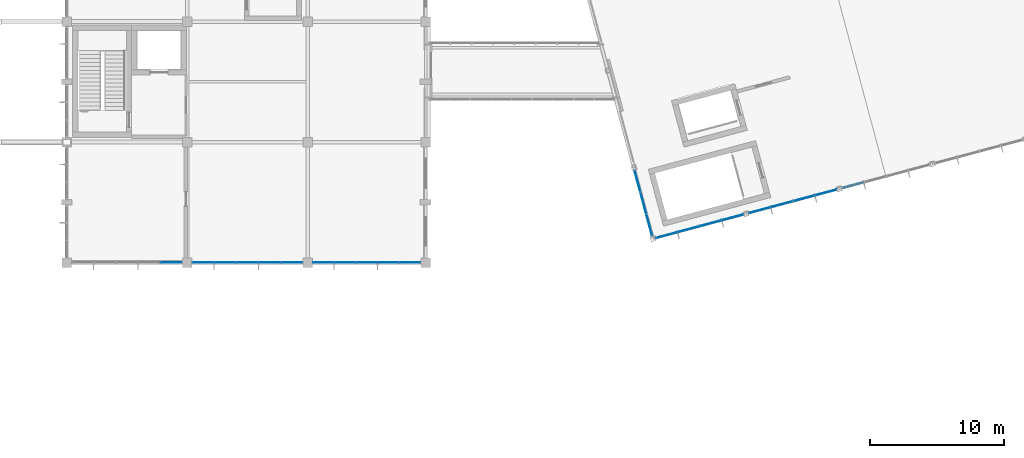
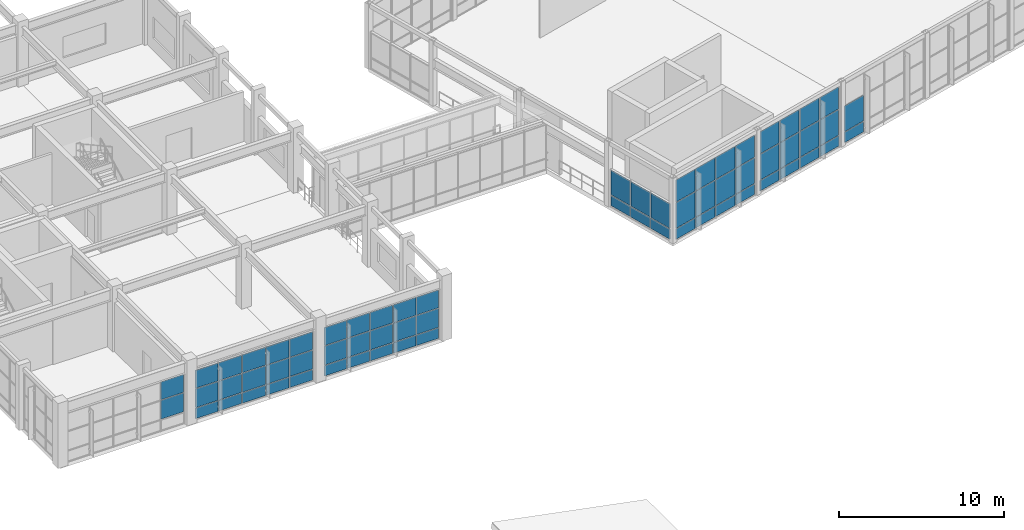
# One storey, part 71 of 99: 64 plates, 7 elements without a shape of their own.
"""IFC4 building model written with IfcOpenShell, lengths in metres."""

from ifc_helpers import new_model, si_unit, direction, frame, origin, origin_2d, place, context, subcontext, project, spatial, rectangle, extrude, material, layer, layer_set, type_object, element, aggregate, save


model = new_model("IFC4")

# Units and contexts
model_context = context("Model", 3, precision=1e-05, world=origin(), true_north=direction((0.0, 1.0)))
body_context = subcontext(model_context, "Body", "Model", "MODEL_VIEW")
ifc_project = project(units=[si_unit("LENGTHUNIT", "METRE"), si_unit("AREAUNIT", "SQUARE_METRE"), si_unit("VOLUMEUNIT", "CUBIC_METRE"), si_unit("PLANEANGLEUNIT", "RADIAN"), si_unit("MASSUNIT", "GRAM", prefix="KILO")], contexts=[model_context])

# Site, building, storey
site_placement = place(None, origin())
site = spatial("IfcSite", under=ifc_project, at=site_placement, CompositionType="ELEMENT")
building_placement = place(site_placement, origin())
building = spatial("IfcBuilding", under=site, at=building_placement, Name="Ventoquebrada Cableway Terminal", CompositionType="ELEMENT")
storey_placement = place(building_placement, frame((0.0, 0.0, 9.60009765625)))
storey = spatial("IfcBuildingStorey", under=building, at=storey_placement, Name="L02", CompositionType="ELEMENT", Elevation=9.60009765625)

# Curtain wall, plate
ifc_material_1 = material(Name="Anodized thermally-broken aluminium", Category="aluminium")
ifc_layer_1 = layer(ifc_material_1, 0.159912109375)
ifc_layer_set_1 = layer_set([ifc_layer_1], Name="Anodized thermally-broken aluminium")
curtain_wall_type_1 = type_object("IfcCurtainWallType", Name="CW-T18", PredefinedType="USERDEFINED", material=ifc_layer_set_1)
curtain_wall_1_placement = place(storey_placement, origin())
curtain_wall_1 = element("IfcCurtainWall", 1, at=curtain_wall_1_placement, inside=storey, type_object=curtain_wall_type_1, Name="Unitised glazed curtain wall CW-040", ObjectType="UNITISED CURTAIN WALL", PredefinedType="USERDEFINED")
ifc_material_2 = material(Name="Double low-e laminated safety glazing", Category="glass")
ifc_layer_2 = layer(ifc_material_2, 0.031982421875)
ifc_layer_set_2 = layer_set([ifc_layer_2], Name="Double low-e laminated safety glazing")
plate_type_1 = type_object("IfcPlateType", Name="CWP-GL1", PredefinedType="CURTAIN_PANEL", material=ifc_layer_set_2)
plate_1_placement = place(storey_placement, frame((15.998046875, 68.0, 2.304931640625), z_axis=(0.0, 0.0, 1.0), x_axis=(1.0, 0.0, 0.0)))
plate_1 = element("IfcPlate", 2, at=plate_1_placement, type_object=plate_type_1, Name="Vision glazing panel PN-0407", PredefinedType="CURTAIN_PANEL", context=body_context, shape_type="SweptSolid", body=[
    extrude(rectangle(XDim=1.573974609375, YDim=0.031982421875, at=origin_2d()), origin(), (0.0, 0.0, 1.0), 1.31396484375),
])

# Curtain wall, plates
curtain_wall_2_placement = place(storey_placement, origin())
curtain_wall_2 = element("IfcCurtainWall", 3, at=curtain_wall_2_placement, inside=storey, type_object=curtain_wall_type_1, Name="Unitised glazed curtain wall CW-041", ObjectType="UNITISED CURTAIN WALL", PredefinedType="USERDEFINED")
plate_2_placement = place(storey_placement, frame((18.40087890625, 68.0, 2.304931640625), z_axis=(0.0, 0.0, 1.0), x_axis=(1.0, 0.0, 0.0)))
plate_2 = element("IfcPlate", 4, at=plate_2_placement, type_object=plate_type_1, Name="Vision glazing panel PN-0410", PredefinedType="CURTAIN_PANEL", context=body_context, shape_type="SweptSolid", body=[
    extrude(rectangle(XDim=1.573974609375, YDim=0.031982421875, at=origin_2d()), origin(), (0.0, 0.0, 1.0), 1.31396484375),
])
plate_3_placement = place(storey_placement, frame((20.0419921875, 68.0, 0.8740234375), z_axis=(0.0, 0.0, 1.0), x_axis=(1.0, 0.0, 0.0)))
plate_3 = element("IfcPlate", 5, at=plate_3_placement, type_object=plate_type_1, Name="Vision glazing panel PN-0412", PredefinedType="CURTAIN_PANEL", context=body_context, shape_type="SweptSolid", body=[
    extrude(rectangle(XDim=1.60888671875, YDim=0.031982421875, at=origin_2d()), origin(), (0.0, 0.0, 1.0), 1.382080078125),
])
plate_4_placement = place(storey_placement, frame((21.699951171875, 68.0, 2.304931640625), z_axis=(0.0, 0.0, 1.0), x_axis=(1.0, 0.0, 0.0)))
plate_4 = element("IfcPlate", 6, at=plate_4_placement, type_object=plate_type_1, Name="Vision glazing panel PN-0416", PredefinedType="CURTAIN_PANEL", context=body_context, shape_type="SweptSolid", body=[
    extrude(rectangle(XDim=1.60888671875, YDim=0.031982421875, at=origin_2d()), origin(), (0.0, 0.0, 1.0), 1.31396484375),
])
plate_5_placement = place(storey_placement, frame((23.35791015625, 68.0, 0.8740234375), z_axis=(0.0, 0.0, 1.0), x_axis=(1.0, 0.0, 0.0)))
plate_5 = element("IfcPlate", 7, at=plate_5_placement, type_object=plate_type_1, Name="Vision glazing panel PN-0418", PredefinedType="CURTAIN_PANEL", context=body_context, shape_type="SweptSolid", body=[
    extrude(rectangle(XDim=1.60888671875, YDim=0.031982421875, at=origin_2d()), origin(), (0.0, 0.0, 1.0), 1.382080078125),
])
plate_6_placement = place(storey_placement, frame((24.998046875, 68.0, 2.304931640625), z_axis=(0.0, 0.0, 1.0), x_axis=(1.0, 0.0, 0.0)))
plate_6 = element("IfcPlate", 8, at=plate_6_placement, type_object=plate_type_1, Name="Vision glazing panel PN-0422", PredefinedType="CURTAIN_PANEL", context=body_context, shape_type="SweptSolid", body=[
    extrude(rectangle(XDim=1.573974609375, YDim=0.031982421875, at=origin_2d()), origin(), (0.0, 0.0, 1.0), 1.31396484375),
])

ifc_layer_3 = layer(ifc_material_1, 0.159912109375)
ifc_layer_set_3 = layer_set([ifc_layer_3], Name="Anodized thermally-broken aluminium")
curtain_wall_type_2 = type_object("IfcCurtainWallType", Name="CW-T19", PredefinedType="USERDEFINED", material=ifc_layer_set_3)
curtain_wall_3_placement = place(storey_placement, origin())
curtain_wall_3 = element("IfcCurtainWall", 9, at=curtain_wall_3_placement, inside=storey, type_object=curtain_wall_type_2, Name="Unitised glazed curtain wall CW-042", ObjectType="UNITISED CURTAIN WALL", PredefinedType="USERDEFINED")
plate_7_placement = place(storey_placement, frame((27.382080078125, 68.0, 2.310546875), z_axis=(0.0, 0.0, 1.0), x_axis=(1.0, 0.0, 0.0)))
plate_7 = element("IfcPlate", 10, at=plate_7_placement, type_object=plate_type_1, Name="Vision glazing panel PN-0425", PredefinedType="CURTAIN_PANEL", context=body_context, shape_type="SweptSolid", body=[
    extrude(rectangle(XDim=1.533935546875, YDim=0.031982421875, at=origin_2d()), origin(), (0.0, 0.0, 1.0), 1.31689453125),
])
plate_8_placement = place(storey_placement, frame((28.98291015625, 68.0, 0.87451171875), z_axis=(0.0, 0.0, 1.0), x_axis=(1.0, 0.0, 0.0)))
plate_8 = element("IfcPlate", 11, at=plate_8_placement, type_object=plate_type_1, Name="Vision glazing panel PN-0427", PredefinedType="CURTAIN_PANEL", context=body_context, shape_type="SweptSolid", body=[
    extrude(rectangle(XDim=1.569091796875, YDim=0.031982421875, at=origin_2d()), origin(), (0.0, 0.0, 1.0), 1.386962890625),
])
plate_9_placement = place(storey_placement, frame((30.60107421875, 68.0, 2.310546875), z_axis=(0.0, 0.0, 1.0), x_axis=(1.0, 0.0, 0.0)))
plate_9 = element("IfcPlate", 12, at=plate_9_placement, type_object=plate_type_1, Name="Vision glazing panel PN-0431", PredefinedType="CURTAIN_PANEL", context=body_context, shape_type="SweptSolid", body=[
    extrude(rectangle(XDim=1.569091796875, YDim=0.031982421875, at=origin_2d()), origin(), (0.0, 0.0, 1.0), 1.31689453125),
])
plate_10_placement = place(storey_placement, frame((32.218017578125, 68.0, 0.87451171875), z_axis=(0.0, 0.0, 1.0), x_axis=(1.0, 0.0, 0.0)))
plate_10 = element("IfcPlate", 13, at=plate_10_placement, type_object=plate_type_1, Name="Vision glazing panel PN-0433", PredefinedType="CURTAIN_PANEL", context=body_context, shape_type="SweptSolid", body=[
    extrude(rectangle(XDim=1.569091796875, YDim=0.031982421875, at=origin_2d()), origin(), (0.0, 0.0, 1.0), 1.386962890625),
])
plate_11_placement = place(storey_placement, frame((33.819091796875, 68.0, 2.310546875), z_axis=(0.0, 0.0, 1.0), x_axis=(1.0, 0.0, 0.0)))
plate_11 = element("IfcPlate", 14, at=plate_11_placement, type_object=plate_type_1, Name="Vision glazing panel PN-0437", PredefinedType="CURTAIN_PANEL", context=body_context, shape_type="SweptSolid", body=[
    extrude(rectangle(XDim=1.533935546875, YDim=0.031982421875, at=origin_2d()), origin(), (0.0, 0.0, 1.0), 1.31689453125),
])

ifc_layer_4 = layer(ifc_material_1, 0.159912109375)
ifc_layer_set_4 = layer_set([ifc_layer_4], Name="Anodized thermally-broken aluminium")
curtain_wall_type_3 = type_object("IfcCurtainWallType", Name="CW-T40", PredefinedType="USERDEFINED", material=ifc_layer_set_4)
curtain_wall_4_placement = place(storey_placement, origin())
curtain_wall_4 = element("IfcCurtainWall", 15, at=curtain_wall_4_placement, inside=storey, type_object=curtain_wall_type_3, Name="Unitised glazed curtain wall CW-101", ObjectType="UNITISED CURTAIN WALL", PredefinedType="USERDEFINED")
plate_12_placement = place(storey_placement, frame((52.9951171875, 70.055908203125, 2.808837890625), z_axis=(0.0, 0.0, 1.0), x_axis=(0.965939376699, 0.25876846899, 0.0)))
plate_12 = element("IfcPlate", 16, at=plate_12_placement, type_object=plate_type_1, Name="Vision glazing panel PN-1049", PredefinedType="CURTAIN_PANEL", context=body_context, shape_type="SweptSolid", body=[
    extrude(rectangle(XDim=1.615966796875, YDim=0.031982421875, at=origin_2d()), origin(), (0.0, 0.0, 1.0), 1.6220703125),
])
plate_13_placement = place(storey_placement, frame((54.6298828125, 70.4951171875, 0.87451171875), z_axis=(0.0, 0.0, 1.0), x_axis=(0.965939376699, 0.25876846899, 0.0)))
plate_13 = element("IfcPlate", 17, at=plate_13_placement, type_object=plate_type_1, Name="Vision glazing panel PN-1051", PredefinedType="CURTAIN_PANEL", context=body_context, shape_type="SweptSolid", body=[
    extrude(rectangle(XDim=1.65087890625, YDim=0.031982421875, at=origin_2d()), origin(), (0.0, 0.0, 1.0), 1.885009765625),
])
plate_14_placement = place(storey_placement, frame((56.281982421875, 70.93701171875, 2.808837890625), z_axis=(0.0, 0.0, 1.0), x_axis=(0.965939376699, 0.25876846899, 0.0)))
plate_14 = element("IfcPlate", 18, at=plate_14_placement, type_object=plate_type_1, Name="Vision glazing panel PN-1055", PredefinedType="CURTAIN_PANEL", context=body_context, shape_type="SweptSolid", body=[
    extrude(rectangle(XDim=1.65087890625, YDim=0.031982421875, at=origin_2d()), origin(), (0.0, 0.0, 1.0), 1.6220703125),
])
plate_15_placement = place(storey_placement, frame((57.916015625, 71.3759765625, 0.87451171875), z_axis=(0.0, 0.0, 1.0), x_axis=(0.965939376699, 0.25876846899, 0.0)))
plate_15 = element("IfcPlate", 19, at=plate_15_placement, type_object=plate_type_1, Name="Vision glazing panel PN-1057", PredefinedType="CURTAIN_PANEL", context=body_context, shape_type="SweptSolid", body=[
    extrude(rectangle(XDim=1.615966796875, YDim=0.031982421875, at=origin_2d()), origin(), (0.0, 0.0, 1.0), 1.885009765625),
])

curtain_wall_5_placement = place(storey_placement, origin())
curtain_wall_5 = element("IfcCurtainWall", 20, at=curtain_wall_5_placement, inside=storey, type_object=curtain_wall_type_3, Name="Unitised glazed curtain wall CW-102", ObjectType="UNITISED CURTAIN WALL", PredefinedType="USERDEFINED")
plate_16_placement = place(storey_placement, frame((59.949951171875, 71.9208984375, 2.808837890625), z_axis=(0.0, 0.0, 1.0), x_axis=(0.965966469573, 0.258667314636, 0.0)))
plate_16 = element("IfcPlate", 21, at=plate_16_placement, type_object=plate_type_1, Name="Vision glazing panel PN-1061", PredefinedType="CURTAIN_PANEL", context=body_context, shape_type="SweptSolid", body=[
    extrude(rectangle(XDim=1.615966796875, YDim=0.031982421875, at=origin_2d()), origin(), (0.0, 0.0, 1.0), 1.6220703125),
])
plate_17_placement = place(storey_placement, frame((61.583984375, 72.35791015625, 0.87451171875), z_axis=(0.0, 0.0, 1.0), x_axis=(0.965966469573, 0.258667314636, 0.0)))
plate_17 = element("IfcPlate", 22, at=plate_17_placement, type_object=plate_type_1, Name="Vision glazing panel PN-1063", PredefinedType="CURTAIN_PANEL", context=body_context, shape_type="SweptSolid", body=[
    extrude(rectangle(XDim=1.65087890625, YDim=0.031982421875, at=origin_2d()), origin(), (0.0, 0.0, 1.0), 1.885009765625),
])
plate_18_placement = place(storey_placement, frame((63.236083984375, 72.800048828125, 2.808837890625), z_axis=(0.0, 0.0, 1.0), x_axis=(0.965966469573, 0.258667314636, 0.0)))
plate_18 = element("IfcPlate", 23, at=plate_18_placement, type_object=plate_type_1, Name="Vision glazing panel PN-1067", PredefinedType="CURTAIN_PANEL", context=body_context, shape_type="SweptSolid", body=[
    extrude(rectangle(XDim=1.65087890625, YDim=0.031982421875, at=origin_2d()), origin(), (0.0, 0.0, 1.0), 1.6220703125),
])
plate_19_placement = place(storey_placement, frame((64.8701171875, 73.239013671875, 0.87451171875), z_axis=(0.0, 0.0, 1.0), x_axis=(0.965966469573, 0.258667314636, 0.0)))
plate_19 = element("IfcPlate", 24, at=plate_19_placement, type_object=plate_type_1, Name="Vision glazing panel PN-1069", PredefinedType="CURTAIN_PANEL", context=body_context, shape_type="SweptSolid", body=[
    extrude(rectangle(XDim=1.615966796875, YDim=0.031982421875, at=origin_2d()), origin(), (0.0, 0.0, 1.0), 1.885009765625),
])

# Curtain wall, plate
ifc_layer_5 = layer(ifc_material_1, 0.159912109375)
ifc_layer_set_5 = layer_set([ifc_layer_5], Name="Anodized thermally-broken aluminium")
curtain_wall_type_4 = type_object("IfcCurtainWallType", Name="CW-T41", PredefinedType="USERDEFINED", material=ifc_layer_set_5)
curtain_wall_6_placement = place(storey_placement, origin())
curtain_wall_6 = element("IfcCurtainWall", 25, at=curtain_wall_6_placement, inside=storey, type_object=curtain_wall_type_4, Name="Unitised glazed curtain wall CW-111", ObjectType="UNITISED CURTAIN WALL", PredefinedType="USERDEFINED")
plate_20_placement = place(storey_placement, frame((51.26611328125, 72.44091796875, 0.87890625), z_axis=(0.0, 0.0, 1.0), x_axis=(0.258751610128, -0.965943892913, 0.0)))
plate_20 = element("IfcPlate", 26, at=plate_20_placement, type_object=plate_type_1, Name="Vision glazing panel PN-1170", PredefinedType="CURTAIN_PANEL", context=body_context, shape_type="SweptSolid", body=[
    extrude(rectangle(XDim=1.6689453125, YDim=0.031982421875, at=origin_2d()), origin(), (0.0, 0.0, 1.0), 1.80810546875),
])

# Plate
ifc_layer_6 = layer(ifc_material_2, 0.0380859375)
ifc_layer_set_6 = layer_set([ifc_layer_6], Name="Double low-e laminated safety glazing")
plate_type_2 = type_object("IfcPlateType", Name="CWP-GL2", PredefinedType="CURTAIN_PANEL", material=ifc_layer_set_6)
plate_21_placement = place(storey_placement, frame((15.998046875, 68.0, 0.8740234375), z_axis=(0.0, 0.0, 1.0), x_axis=(1.0, 0.0, 0.0)))
plate_21 = element("IfcPlate", 27, at=plate_21_placement, type_object=plate_type_2, Name="Vision glazing panel PN-0406", PredefinedType="CURTAIN_PANEL", context=body_context, shape_type="SweptSolid", body=[
    extrude(rectangle(XDim=1.573974609375, YDim=0.0380859375, at=origin_2d()), origin(), (0.0, 0.0, 1.0), 1.382080078125),
])

aggregate(curtain_wall_1, [plate_21, plate_1])

plate_22_placement = place(storey_placement, frame((18.40087890625, 68.0, 0.8740234375), z_axis=(0.0, 0.0, 1.0), x_axis=(1.0, 0.0, 0.0)))
plate_22 = element("IfcPlate", 28, at=plate_22_placement, type_object=plate_type_2, Name="Vision glazing panel PN-0409", PredefinedType="CURTAIN_PANEL", context=body_context, shape_type="SweptSolid", body=[
    extrude(rectangle(XDim=1.573974609375, YDim=0.0380859375, at=origin_2d()), origin(), (0.0, 0.0, 1.0), 1.382080078125),
])

plate_23_placement = place(storey_placement, frame((20.0419921875, 68.0, 2.304931640625), z_axis=(0.0, 0.0, 1.0), x_axis=(1.0, 0.0, 0.0)))
plate_23 = element("IfcPlate", 29, at=plate_23_placement, type_object=plate_type_2, Name="Vision glazing panel PN-0413", PredefinedType="CURTAIN_PANEL", context=body_context, shape_type="SweptSolid", body=[
    extrude(rectangle(XDim=1.60888671875, YDim=0.0380859375, at=origin_2d()), origin(), (0.0, 0.0, 1.0), 1.31396484375),
])

plate_24_placement = place(storey_placement, frame((21.699951171875, 68.0, 0.8740234375), z_axis=(0.0, 0.0, 1.0), x_axis=(1.0, 0.0, 0.0)))
plate_24 = element("IfcPlate", 30, at=plate_24_placement, type_object=plate_type_2, Name="Vision glazing panel PN-0415", PredefinedType="CURTAIN_PANEL", context=body_context, shape_type="SweptSolid", body=[
    extrude(rectangle(XDim=1.60888671875, YDim=0.0380859375, at=origin_2d()), origin(), (0.0, 0.0, 1.0), 1.382080078125),
])

plate_25_placement = place(storey_placement, frame((23.35791015625, 68.0, 2.304931640625), z_axis=(0.0, 0.0, 1.0), x_axis=(1.0, 0.0, 0.0)))
plate_25 = element("IfcPlate", 31, at=plate_25_placement, type_object=plate_type_2, Name="Vision glazing panel PN-0419", PredefinedType="CURTAIN_PANEL", context=body_context, shape_type="SweptSolid", body=[
    extrude(rectangle(XDim=1.60888671875, YDim=0.0380859375, at=origin_2d()), origin(), (0.0, 0.0, 1.0), 1.31396484375),
])

plate_26_placement = place(storey_placement, frame((24.998046875, 68.0, 0.8740234375), z_axis=(0.0, 0.0, 1.0), x_axis=(1.0, 0.0, 0.0)))
plate_26 = element("IfcPlate", 32, at=plate_26_placement, type_object=plate_type_2, Name="Vision glazing panel PN-0421", PredefinedType="CURTAIN_PANEL", context=body_context, shape_type="SweptSolid", body=[
    extrude(rectangle(XDim=1.573974609375, YDim=0.0380859375, at=origin_2d()), origin(), (0.0, 0.0, 1.0), 1.382080078125),
])

plate_27_placement = place(storey_placement, frame((27.382080078125, 68.0, 0.87451171875), z_axis=(0.0, 0.0, 1.0), x_axis=(1.0, 0.0, 0.0)))
plate_27 = element("IfcPlate", 33, at=plate_27_placement, type_object=plate_type_2, Name="Vision glazing panel PN-0424", PredefinedType="CURTAIN_PANEL", context=body_context, shape_type="SweptSolid", body=[
    extrude(rectangle(XDim=1.533935546875, YDim=0.0380859375, at=origin_2d()), origin(), (0.0, 0.0, 1.0), 1.386962890625),
])

plate_28_placement = place(storey_placement, frame((28.98291015625, 68.0, 2.310546875), z_axis=(0.0, 0.0, 1.0), x_axis=(1.0, 0.0, 0.0)))
plate_28 = element("IfcPlate", 34, at=plate_28_placement, type_object=plate_type_2, Name="Vision glazing panel PN-0428", PredefinedType="CURTAIN_PANEL", context=body_context, shape_type="SweptSolid", body=[
    extrude(rectangle(XDim=1.569091796875, YDim=0.0380859375, at=origin_2d()), origin(), (0.0, 0.0, 1.0), 1.31689453125),
])

plate_29_placement = place(storey_placement, frame((30.60107421875, 68.0, 0.87451171875), z_axis=(0.0, 0.0, 1.0), x_axis=(1.0, 0.0, 0.0)))
plate_29 = element("IfcPlate", 35, at=plate_29_placement, type_object=plate_type_2, Name="Vision glazing panel PN-0430", PredefinedType="CURTAIN_PANEL", context=body_context, shape_type="SweptSolid", body=[
    extrude(rectangle(XDim=1.569091796875, YDim=0.0380859375, at=origin_2d()), origin(), (0.0, 0.0, 1.0), 1.386962890625),
])

plate_30_placement = place(storey_placement, frame((32.218017578125, 68.0, 2.310546875), z_axis=(0.0, 0.0, 1.0), x_axis=(1.0, 0.0, 0.0)))
plate_30 = element("IfcPlate", 36, at=plate_30_placement, type_object=plate_type_2, Name="Vision glazing panel PN-0434", PredefinedType="CURTAIN_PANEL", context=body_context, shape_type="SweptSolid", body=[
    extrude(rectangle(XDim=1.569091796875, YDim=0.0380859375, at=origin_2d()), origin(), (0.0, 0.0, 1.0), 1.31689453125),
])

plate_31_placement = place(storey_placement, frame((33.819091796875, 68.0, 0.87451171875), z_axis=(0.0, 0.0, 1.0), x_axis=(1.0, 0.0, 0.0)))
plate_31 = element("IfcPlate", 37, at=plate_31_placement, type_object=plate_type_2, Name="Vision glazing panel PN-0436", PredefinedType="CURTAIN_PANEL", context=body_context, shape_type="SweptSolid", body=[
    extrude(rectangle(XDim=1.533935546875, YDim=0.0380859375, at=origin_2d()), origin(), (0.0, 0.0, 1.0), 1.386962890625),
])

plate_32_placement = place(storey_placement, frame((52.9951171875, 70.055908203125, 0.87451171875), z_axis=(0.0, 0.0, 1.0), x_axis=(0.965939376699, 0.25876846899, 0.0)))
plate_32 = element("IfcPlate", 38, at=plate_32_placement, type_object=plate_type_2, Name="Vision glazing panel PN-1048", PredefinedType="CURTAIN_PANEL", context=body_context, shape_type="SweptSolid", body=[
    extrude(rectangle(XDim=1.615966796875, YDim=0.0380859375, at=origin_2d()), origin(), (0.0, 0.0, 1.0), 1.885009765625),
])

plate_33_placement = place(storey_placement, frame((54.6298828125, 70.4951171875, 2.808837890625), z_axis=(0.0, 0.0, 1.0), x_axis=(0.965939376699, 0.25876846899, 0.0)))
plate_33 = element("IfcPlate", 39, at=plate_33_placement, type_object=plate_type_2, Name="Vision glazing panel PN-1052", PredefinedType="CURTAIN_PANEL", context=body_context, shape_type="SweptSolid", body=[
    extrude(rectangle(XDim=1.65087890625, YDim=0.0380859375, at=origin_2d()), origin(), (0.0, 0.0, 1.0), 1.6220703125),
])

plate_34_placement = place(storey_placement, frame((56.281982421875, 70.93701171875, 0.87451171875), z_axis=(0.0, 0.0, 1.0), x_axis=(0.965939376699, 0.25876846899, 0.0)))
plate_34 = element("IfcPlate", 40, at=plate_34_placement, type_object=plate_type_2, Name="Vision glazing panel PN-1054", PredefinedType="CURTAIN_PANEL", context=body_context, shape_type="SweptSolid", body=[
    extrude(rectangle(XDim=1.65087890625, YDim=0.0380859375, at=origin_2d()), origin(), (0.0, 0.0, 1.0), 1.885009765625),
])

plate_35_placement = place(storey_placement, frame((57.916015625, 71.3759765625, 2.808837890625), z_axis=(0.0, 0.0, 1.0), x_axis=(0.965939376699, 0.25876846899, 0.0)))
plate_35 = element("IfcPlate", 41, at=plate_35_placement, type_object=plate_type_2, Name="Vision glazing panel PN-1058", PredefinedType="CURTAIN_PANEL", context=body_context, shape_type="SweptSolid", body=[
    extrude(rectangle(XDim=1.615966796875, YDim=0.0380859375, at=origin_2d()), origin(), (0.0, 0.0, 1.0), 1.6220703125),
])

plate_36_placement = place(storey_placement, frame((59.949951171875, 71.9208984375, 0.87451171875), z_axis=(0.0, 0.0, 1.0), x_axis=(0.965966469573, 0.258667314636, 0.0)))
plate_36 = element("IfcPlate", 42, at=plate_36_placement, type_object=plate_type_2, Name="Vision glazing panel PN-1060", PredefinedType="CURTAIN_PANEL", context=body_context, shape_type="SweptSolid", body=[
    extrude(rectangle(XDim=1.615966796875, YDim=0.0380859375, at=origin_2d()), origin(), (0.0, 0.0, 1.0), 1.885009765625),
])

plate_37_placement = place(storey_placement, frame((61.583984375, 72.35791015625, 2.808837890625), z_axis=(0.0, 0.0, 1.0), x_axis=(0.965966469573, 0.258667314636, 0.0)))
plate_37 = element("IfcPlate", 43, at=plate_37_placement, type_object=plate_type_2, Name="Vision glazing panel PN-1064", PredefinedType="CURTAIN_PANEL", context=body_context, shape_type="SweptSolid", body=[
    extrude(rectangle(XDim=1.65087890625, YDim=0.0380859375, at=origin_2d()), origin(), (0.0, 0.0, 1.0), 1.6220703125),
])

plate_38_placement = place(storey_placement, frame((63.236083984375, 72.800048828125, 0.87451171875), z_axis=(0.0, 0.0, 1.0), x_axis=(0.965966469573, 0.258667314636, 0.0)))
plate_38 = element("IfcPlate", 44, at=plate_38_placement, type_object=plate_type_2, Name="Vision glazing panel PN-1066", PredefinedType="CURTAIN_PANEL", context=body_context, shape_type="SweptSolid", body=[
    extrude(rectangle(XDim=1.65087890625, YDim=0.0380859375, at=origin_2d()), origin(), (0.0, 0.0, 1.0), 1.885009765625),
])

plate_39_placement = place(storey_placement, frame((64.8701171875, 73.239013671875, 2.808837890625), z_axis=(0.0, 0.0, 1.0), x_axis=(0.965966469573, 0.258667314636, 0.0)))
plate_39 = element("IfcPlate", 45, at=plate_39_placement, type_object=plate_type_2, Name="Vision glazing panel PN-1070", PredefinedType="CURTAIN_PANEL", context=body_context, shape_type="SweptSolid", body=[
    extrude(rectangle(XDim=1.615966796875, YDim=0.0380859375, at=origin_2d()), origin(), (0.0, 0.0, 1.0), 1.6220703125),
])

# Curtain wall, plate
curtain_wall_7_placement = place(storey_placement, origin())
curtain_wall_7 = element("IfcCurtainWall", 46, at=curtain_wall_7_placement, inside=storey, type_object=curtain_wall_type_3, Name="Unitised glazed curtain wall CW-103", ObjectType="UNITISED CURTAIN WALL", PredefinedType="USERDEFINED")
plate_40_placement = place(storey_placement, frame((66.904052734375, 73.783935546875, 0.87451171875), z_axis=(0.0, 0.0, 1.0), x_axis=(0.965939376699, 0.25876846899, 0.0)))
plate_40 = element("IfcPlate", 47, at=plate_40_placement, type_object=plate_type_2, Name="Vision glazing panel PN-1072", PredefinedType="CURTAIN_PANEL", context=body_context, shape_type="SweptSolid", body=[
    extrude(rectangle(XDim=1.615966796875, YDim=0.0380859375, at=origin_2d()), origin(), (0.0, 0.0, 1.0), 1.885009765625),
])

# Plate
plate_41_placement = place(storey_placement, frame((50.827880859375, 74.077880859375, 0.87890625), z_axis=(0.0, 0.0, 1.0), x_axis=(0.258751610128, -0.965943892913, 0.0)))
plate_41 = element("IfcPlate", 48, at=plate_41_placement, type_object=plate_type_2, Name="Vision glazing panel PN-1168", PredefinedType="CURTAIN_PANEL", context=body_context, shape_type="SweptSolid", body=[
    extrude(rectangle(XDim=1.634033203125, YDim=0.0380859375, at=origin_2d()), origin(), (0.0, 0.0, 1.0), 1.80810546875),
])

plate_42_placement = place(storey_placement, frame((51.7041015625, 70.802978515625, 0.87890625), z_axis=(0.0, 0.0, 1.0), x_axis=(0.258751610128, -0.965943892913, 0.0)))
plate_42 = element("IfcPlate", 49, at=plate_42_placement, type_object=plate_type_2, Name="Vision glazing panel PN-1172", PredefinedType="CURTAIN_PANEL", context=body_context, shape_type="SweptSolid", body=[
    extrude(rectangle(XDim=1.634033203125, YDim=0.0380859375, at=origin_2d()), origin(), (0.0, 0.0, 1.0), 1.80810546875),
])

ifc_material_3 = material(Name="Insulated aluminium spandrel cassette", Category="aluminium")
ifc_layer_7 = layer(ifc_material_3, 0.044921875)
ifc_layer_set_7 = layer_set([ifc_layer_7], Name="Insulated aluminium spandrel cassette")
plate_type_3 = type_object("IfcPlateType", Name="CWP-SP1", PredefinedType="CURTAIN_PANEL", material=ifc_layer_set_7)
plate_43_placement = place(storey_placement, frame((18.40087890625, 68.0, 0.059814453125), z_axis=(0.0, 0.0, 1.0), x_axis=(1.0, 0.0, 0.0)))
plate_43 = element("IfcPlate", 50, at=plate_43_placement, type_object=plate_type_3, Name="Insulated spandrel panel PN-0408", PredefinedType="CURTAIN_PANEL", context=body_context, shape_type="SweptSolid", body=[
    extrude(rectangle(XDim=1.573974609375, YDim=0.044921875, at=origin_2d()), origin(), (0.0, 0.0, 1.0), 0.76611328125),
])

plate_44_placement = place(storey_placement, frame((20.0419921875, 68.0, 0.059814453125), z_axis=(0.0, 0.0, 1.0), x_axis=(1.0, 0.0, 0.0)))
plate_44 = element("IfcPlate", 51, at=plate_44_placement, type_object=plate_type_3, Name="Insulated spandrel panel PN-0411", PredefinedType="CURTAIN_PANEL", context=body_context, shape_type="SweptSolid", body=[
    extrude(rectangle(XDim=1.60888671875, YDim=0.044921875, at=origin_2d()), origin(), (0.0, 0.0, 1.0), 0.76611328125),
])

plate_45_placement = place(storey_placement, frame((21.699951171875, 68.0, 0.059814453125), z_axis=(0.0, 0.0, 1.0), x_axis=(1.0, 0.0, 0.0)))
plate_45 = element("IfcPlate", 52, at=plate_45_placement, type_object=plate_type_3, Name="Insulated spandrel panel PN-0414", PredefinedType="CURTAIN_PANEL", context=body_context, shape_type="SweptSolid", body=[
    extrude(rectangle(XDim=1.60888671875, YDim=0.044921875, at=origin_2d()), origin(), (0.0, 0.0, 1.0), 0.76611328125),
])

plate_46_placement = place(storey_placement, frame((23.35791015625, 68.0, 0.059814453125), z_axis=(0.0, 0.0, 1.0), x_axis=(1.0, 0.0, 0.0)))
plate_46 = element("IfcPlate", 53, at=plate_46_placement, type_object=plate_type_3, Name="Insulated spandrel panel PN-0417", PredefinedType="CURTAIN_PANEL", context=body_context, shape_type="SweptSolid", body=[
    extrude(rectangle(XDim=1.60888671875, YDim=0.044921875, at=origin_2d()), origin(), (0.0, 0.0, 1.0), 0.76611328125),
])

plate_47_placement = place(storey_placement, frame((24.998046875, 68.0, 0.059814453125), z_axis=(0.0, 0.0, 1.0), x_axis=(1.0, 0.0, 0.0)))
plate_47 = element("IfcPlate", 54, at=plate_47_placement, type_object=plate_type_3, Name="Insulated spandrel panel PN-0420", PredefinedType="CURTAIN_PANEL", context=body_context, shape_type="SweptSolid", body=[
    extrude(rectangle(XDim=1.573974609375, YDim=0.044921875, at=origin_2d()), origin(), (0.0, 0.0, 1.0), 0.76611328125),
])

aggregate(curtain_wall_2, [plate_43, plate_22, plate_2, plate_44, plate_3, plate_23, plate_45, plate_24, plate_4, plate_46, plate_5, plate_25, plate_47, plate_26, plate_6])

plate_48_placement = place(storey_placement, frame((27.382080078125, 68.0, 0.059814453125), z_axis=(0.0, 0.0, 1.0), x_axis=(1.0, 0.0, 0.0)))
plate_48 = element("IfcPlate", 55, at=plate_48_placement, type_object=plate_type_3, Name="Insulated spandrel panel PN-0423", PredefinedType="CURTAIN_PANEL", context=body_context, shape_type="SweptSolid", body=[
    extrude(rectangle(XDim=1.533935546875, YDim=0.044921875, at=origin_2d()), origin(), (0.0, 0.0, 1.0), 0.76611328125),
])

plate_49_placement = place(storey_placement, frame((28.98291015625, 68.0, 0.059814453125), z_axis=(0.0, 0.0, 1.0), x_axis=(1.0, 0.0, 0.0)))
plate_49 = element("IfcPlate", 56, at=plate_49_placement, type_object=plate_type_3, Name="Insulated spandrel panel PN-0426", PredefinedType="CURTAIN_PANEL", context=body_context, shape_type="SweptSolid", body=[
    extrude(rectangle(XDim=1.569091796875, YDim=0.044921875, at=origin_2d()), origin(), (0.0, 0.0, 1.0), 0.76611328125),
])

plate_50_placement = place(storey_placement, frame((30.60107421875, 68.0, 0.059814453125), z_axis=(0.0, 0.0, 1.0), x_axis=(1.0, 0.0, 0.0)))
plate_50 = element("IfcPlate", 57, at=plate_50_placement, type_object=plate_type_3, Name="Insulated spandrel panel PN-0429", PredefinedType="CURTAIN_PANEL", context=body_context, shape_type="SweptSolid", body=[
    extrude(rectangle(XDim=1.569091796875, YDim=0.044921875, at=origin_2d()), origin(), (0.0, 0.0, 1.0), 0.76611328125),
])

plate_51_placement = place(storey_placement, frame((32.218017578125, 68.0, 0.059814453125), z_axis=(0.0, 0.0, 1.0), x_axis=(1.0, 0.0, 0.0)))
plate_51 = element("IfcPlate", 58, at=plate_51_placement, type_object=plate_type_3, Name="Insulated spandrel panel PN-0432", PredefinedType="CURTAIN_PANEL", context=body_context, shape_type="SweptSolid", body=[
    extrude(rectangle(XDim=1.569091796875, YDim=0.044921875, at=origin_2d()), origin(), (0.0, 0.0, 1.0), 0.76611328125),
])

plate_52_placement = place(storey_placement, frame((33.819091796875, 68.0, 0.059814453125), z_axis=(0.0, 0.0, 1.0), x_axis=(1.0, 0.0, 0.0)))
plate_52 = element("IfcPlate", 59, at=plate_52_placement, type_object=plate_type_3, Name="Insulated spandrel panel PN-0435", PredefinedType="CURTAIN_PANEL", context=body_context, shape_type="SweptSolid", body=[
    extrude(rectangle(XDim=1.533935546875, YDim=0.044921875, at=origin_2d()), origin(), (0.0, 0.0, 1.0), 0.76611328125),
])

aggregate(curtain_wall_3, [plate_48, plate_27, plate_7, plate_49, plate_8, plate_28, plate_50, plate_29, plate_9, plate_51, plate_10, plate_30, plate_52, plate_31, plate_11])

plate_53_placement = place(storey_placement, frame((52.9951171875, 70.055908203125, 0.059814453125), z_axis=(0.0, 0.0, 1.0), x_axis=(0.965939376699, 0.25876846899, 0.0)))
plate_53 = element("IfcPlate", 60, at=plate_53_placement, type_object=plate_type_3, Name="Insulated spandrel panel PN-1047", PredefinedType="CURTAIN_PANEL", context=body_context, shape_type="SweptSolid", body=[
    extrude(rectangle(XDim=1.615966796875, YDim=0.044921875, at=origin_2d()), origin(), (0.0, 0.0, 1.0), 0.76611328125),
])

plate_54_placement = place(storey_placement, frame((54.6298828125, 70.4951171875, 0.059814453125), z_axis=(0.0, 0.0, 1.0), x_axis=(0.965939376699, 0.25876846899, 0.0)))
plate_54 = element("IfcPlate", 61, at=plate_54_placement, type_object=plate_type_3, Name="Insulated spandrel panel PN-1050", PredefinedType="CURTAIN_PANEL", context=body_context, shape_type="SweptSolid", body=[
    extrude(rectangle(XDim=1.65087890625, YDim=0.044921875, at=origin_2d()), origin(), (0.0, 0.0, 1.0), 0.76611328125),
])

plate_55_placement = place(storey_placement, frame((56.281982421875, 70.93701171875, 0.059814453125), z_axis=(0.0, 0.0, 1.0), x_axis=(0.965939376699, 0.25876846899, 0.0)))
plate_55 = element("IfcPlate", 62, at=plate_55_placement, type_object=plate_type_3, Name="Insulated spandrel panel PN-1053", PredefinedType="CURTAIN_PANEL", context=body_context, shape_type="SweptSolid", body=[
    extrude(rectangle(XDim=1.65087890625, YDim=0.044921875, at=origin_2d()), origin(), (0.0, 0.0, 1.0), 0.76611328125),
])

plate_56_placement = place(storey_placement, frame((57.916015625, 71.3759765625, 0.059814453125), z_axis=(0.0, 0.0, 1.0), x_axis=(0.965939376699, 0.25876846899, 0.0)))
plate_56 = element("IfcPlate", 63, at=plate_56_placement, type_object=plate_type_3, Name="Insulated spandrel panel PN-1056", PredefinedType="CURTAIN_PANEL", context=body_context, shape_type="SweptSolid", body=[
    extrude(rectangle(XDim=1.615966796875, YDim=0.044921875, at=origin_2d()), origin(), (0.0, 0.0, 1.0), 0.76611328125),
])

aggregate(curtain_wall_4, [plate_53, plate_32, plate_12, plate_54, plate_13, plate_33, plate_55, plate_34, plate_14, plate_56, plate_15, plate_35])

plate_57_placement = place(storey_placement, frame((59.949951171875, 71.9208984375, 0.059814453125), z_axis=(0.0, 0.0, 1.0), x_axis=(0.965966469573, 0.258667314636, 0.0)))
plate_57 = element("IfcPlate", 64, at=plate_57_placement, type_object=plate_type_3, Name="Insulated spandrel panel PN-1059", PredefinedType="CURTAIN_PANEL", context=body_context, shape_type="SweptSolid", body=[
    extrude(rectangle(XDim=1.615966796875, YDim=0.044921875, at=origin_2d()), origin(), (0.0, 0.0, 1.0), 0.76611328125),
])

plate_58_placement = place(storey_placement, frame((61.583984375, 72.35791015625, 0.059814453125), z_axis=(0.0, 0.0, 1.0), x_axis=(0.965966469573, 0.258667314636, 0.0)))
plate_58 = element("IfcPlate", 65, at=plate_58_placement, type_object=plate_type_3, Name="Insulated spandrel panel PN-1062", PredefinedType="CURTAIN_PANEL", context=body_context, shape_type="SweptSolid", body=[
    extrude(rectangle(XDim=1.65087890625, YDim=0.044921875, at=origin_2d()), origin(), (0.0, 0.0, 1.0), 0.76611328125),
])

plate_59_placement = place(storey_placement, frame((63.236083984375, 72.800048828125, 0.059814453125), z_axis=(0.0, 0.0, 1.0), x_axis=(0.965966469573, 0.258667314636, 0.0)))
plate_59 = element("IfcPlate", 66, at=plate_59_placement, type_object=plate_type_3, Name="Insulated spandrel panel PN-1065", PredefinedType="CURTAIN_PANEL", context=body_context, shape_type="SweptSolid", body=[
    extrude(rectangle(XDim=1.65087890625, YDim=0.044921875, at=origin_2d()), origin(), (0.0, 0.0, 1.0), 0.76611328125),
])

plate_60_placement = place(storey_placement, frame((64.8701171875, 73.239013671875, 0.059814453125), z_axis=(0.0, 0.0, 1.0), x_axis=(0.965966469573, 0.258667314636, 0.0)))
plate_60 = element("IfcPlate", 67, at=plate_60_placement, type_object=plate_type_3, Name="Insulated spandrel panel PN-1068", PredefinedType="CURTAIN_PANEL", context=body_context, shape_type="SweptSolid", body=[
    extrude(rectangle(XDim=1.615966796875, YDim=0.044921875, at=origin_2d()), origin(), (0.0, 0.0, 1.0), 0.76611328125),
])

aggregate(curtain_wall_5, [plate_57, plate_36, plate_16, plate_58, plate_17, plate_37, plate_59, plate_38, plate_18, plate_60, plate_19, plate_39])

plate_61_placement = place(storey_placement, frame((66.904052734375, 73.783935546875, 0.059814453125), z_axis=(0.0, 0.0, 1.0), x_axis=(0.965939376699, 0.25876846899, 0.0)))
plate_61 = element("IfcPlate", 68, at=plate_61_placement, type_object=plate_type_3, Name="Insulated spandrel panel PN-1071", PredefinedType="CURTAIN_PANEL", context=body_context, shape_type="SweptSolid", body=[
    extrude(rectangle(XDim=1.615966796875, YDim=0.044921875, at=origin_2d()), origin(), (0.0, 0.0, 1.0), 0.76611328125),
])

aggregate(curtain_wall_7, [plate_61, plate_40])

plate_62_placement = place(storey_placement, frame((50.827880859375, 74.077880859375, 0.06494140625), z_axis=(0.0, 0.0, 1.0), x_axis=(0.258751610128, -0.965943892913, 0.0)))
plate_62 = element("IfcPlate", 69, at=plate_62_placement, type_object=plate_type_3, Name="Insulated spandrel panel PN-1167", PredefinedType="CURTAIN_PANEL", context=body_context, shape_type="SweptSolid", body=[
    extrude(rectangle(XDim=1.634033203125, YDim=0.044921875, at=origin_2d()), origin(), (0.0, 0.0, 1.0), 0.756103515625),
])

plate_63_placement = place(storey_placement, frame((51.26611328125, 72.44091796875, 0.06494140625), z_axis=(0.0, 0.0, 1.0), x_axis=(0.258751610128, -0.965943892913, 0.0)))
plate_63 = element("IfcPlate", 70, at=plate_63_placement, type_object=plate_type_3, Name="Insulated spandrel panel PN-1169", PredefinedType="CURTAIN_PANEL", context=body_context, shape_type="SweptSolid", body=[
    extrude(rectangle(XDim=1.6689453125, YDim=0.044921875, at=origin_2d()), origin(), (0.0, 0.0, 1.0), 0.756103515625),
])

plate_64_placement = place(storey_placement, frame((51.7041015625, 70.802978515625, 0.06494140625), z_axis=(0.0, 0.0, 1.0), x_axis=(0.258751610128, -0.965943892913, 0.0)))
plate_64 = element("IfcPlate", 71, at=plate_64_placement, type_object=plate_type_3, Name="Insulated spandrel panel PN-1171", PredefinedType="CURTAIN_PANEL", context=body_context, shape_type="SweptSolid", body=[
    extrude(rectangle(XDim=1.634033203125, YDim=0.044921875, at=origin_2d()), origin(), (0.0, 0.0, 1.0), 0.756103515625),
])

aggregate(curtain_wall_6, [plate_62, plate_41, plate_63, plate_20, plate_64, plate_42])

save(model, "model.ifc")
